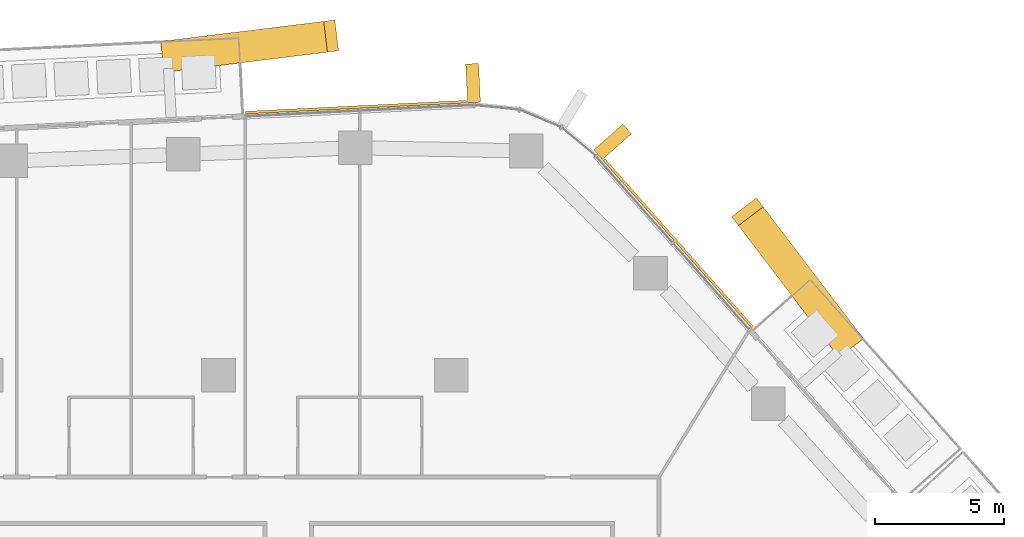
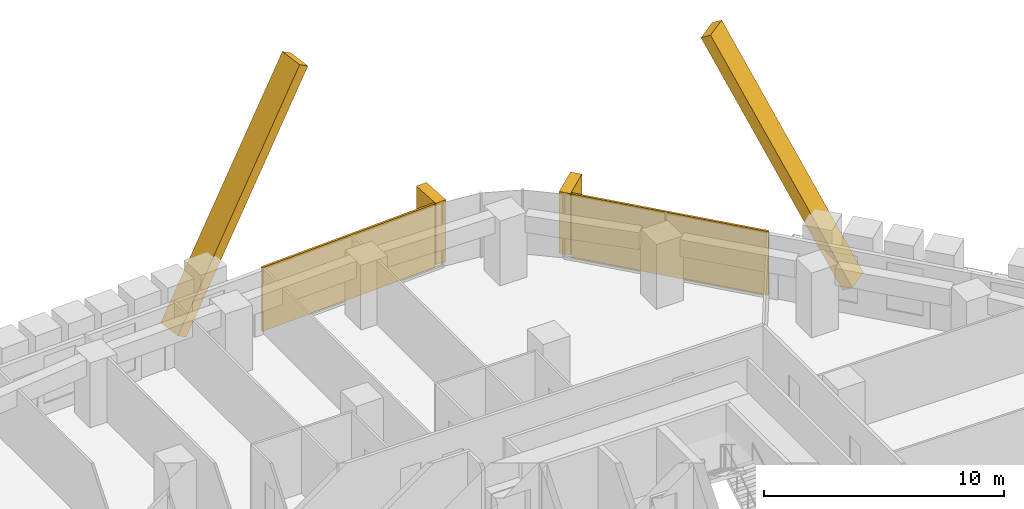
# One storey, part 25 of 25: 6 coverings, 2 elements without a shape of their own.
"""IFC4 building model written with IfcOpenShell, lengths in metres."""

from ifc_helpers import new_model, si_unit, direction, frame, origin, origin_2d, place, context, subcontext, project, spatial, rectangle, extrude, material, layer, layer_set, material_profile, profile_set, type_object, element, aggregate, save


model = new_model("IFC4")

# Units and contexts
model_context = context("Model", 3, precision=1e-05, world=origin(), true_north=direction((0.0, 1.0)))
body_context = subcontext(model_context, "Body", "Model", "MODEL_VIEW")
ifc_project = project(units=[si_unit("LENGTHUNIT", "METRE"), si_unit("AREAUNIT", "SQUARE_METRE"), si_unit("VOLUMEUNIT", "CUBIC_METRE"), si_unit("PLANEANGLEUNIT", "RADIAN"), si_unit("MASSUNIT", "GRAM", prefix="KILO")], contexts=[model_context])

# Site, building, storey
site_placement = place(None, origin())
site = spatial("IfcSite", under=ifc_project, at=site_placement, CompositionType="ELEMENT")
building_placement = place(site_placement, origin())
building = spatial("IfcBuilding", under=site, at=building_placement, Name="Dongbaek Canopy Tower", CompositionType="ELEMENT")
storey_placement = place(building_placement, frame((0.0, 0.0, 102.60009765625)))
storey = spatial("IfcBuildingStorey", under=building, at=storey_placement, Name="L21", CompositionType="ELEMENT", Elevation=102.60009765625)

# Curtain wall, covering
ifc_material_1 = material(Name="Aluminium 6063-T6 pale anodised", Category="aluminium")
ifc_layer_1 = layer(ifc_material_1, 0.199951171875)
ifc_layer_set_1 = layer_set([ifc_layer_1], Name="CW-1 unitised tower curtain wall")
curtain_wall_type = type_object("IfcCurtainWallType", Name="CW-1 unitised tower curtain wall", PredefinedType="NOTDEFINED", material=ifc_layer_set_1)
curtain_wall_1_placement = place(storey_placement, origin())
curtain_wall_1 = element("IfcCurtainWall", 1, at=curtain_wall_1_placement, inside=storey, type_object=curtain_wall_type, Name="CW-1 curtain wall F0.1", PredefinedType="NOTDEFINED")
ifc_material_2 = material(Name="Aluminium 6063-T6 pale metal fin", Category="aluminium")
ifc_material_profile_1 = material_profile(ifc_material_2, rectangle(XDim=1.199951171875, YDim=0.5, at=origin_2d()), Name="Crease fin CF1 500 x 1200 pale metal")
ifc_profile_set_1 = profile_set([ifc_material_profile_1], Name="Aluminium 6063-T6 pale metal fin")
covering_type_1 = type_object("IfcCoveringType", Name="Crease fin CF1 500 x 1200 pale metal", PredefinedType="CLADDING", material=ifc_profile_set_1)
covering_1_placement = place(storey_placement, frame((24.351806640625, 19.22119140625, -0.22509765625), z_axis=(-0.302295046004, 0.397203178017, 0.866514477972), x_axis=(-0.795756053377, -0.605617291293, 0.0)))
covering_1 = element("IfcCovering", 2, at=covering_1_placement, type_object=covering_type_1, Name="Crease fin L21 L24 F0", PredefinedType="CLADDING", context=body_context, shape_type="SweptSolid", body=[
    extrude(rectangle(XDim=1.199951171875, YDim=0.5, at=origin_2d()), origin(), (0.0, 0.0, 1.0), 12.8388671875),
])

curtain_wall_2_placement = place(storey_placement, origin())
curtain_wall_2 = element("IfcCurtainWall", 3, at=curtain_wall_2_placement, inside=storey, type_object=curtain_wall_type, Name="CW-1 curtain wall F1.1", PredefinedType="NOTDEFINED")
covering_2_placement = place(storey_placement, frame((-1.95361328125, 30.343994140625, -0.22509765625), z_axis=(0.492626257263, 0.060640009934, 0.868125659021), x_axis=(-0.122173233927, 0.992508791352, 0.0)))
covering_2 = element("IfcCovering", 4, at=covering_2_placement, type_object=covering_type_1, Name="Crease fin L21 L24 F1", PredefinedType="CLADDING", context=body_context, shape_type="SweptSolid", body=[
    extrude(rectangle(XDim=1.199951171875, YDim=0.5, at=origin_2d()), origin(), (0.0, 0.0, 1.0), 12.81494140625),
])

# Covering
ifc_material_3 = material(Name="Perforated aluminium 6063-T6 pale metal screen", Category="aluminium")
ifc_layer_2 = layer(ifc_material_3, 0.10009765625)
ifc_layer_set_2 = layer_set([ifc_layer_2], Name="Facet screen FS1 100 pale metal")
covering_type_2 = type_object("IfcCoveringType", Name="Facet screen FS1 100 pale metal", PredefinedType="CLADDING", material=ifc_layer_set_2)
covering_3_placement = place(storey_placement, frame((17.790283203125, 23.099609375, 0.0), z_axis=(0.0, 0.0, 1.0), x_axis=(-0.66285400008, 0.748748672505, 0.0)))
covering_3 = element("IfcCovering", 5, at=covering_3_placement, type_object=covering_type_2, Name="Facet screen L21 F0", PredefinedType="CLADDING", context=body_context, shape_type="SweptSolid", body=[
    extrude(rectangle(XDim=8.66650390625, YDim=0.10009765625, at=origin_2d()), origin(), (0.0, 0.0, 1.0), 3.25),
])

covering_4_placement = place(storey_placement, frame((5.316162109375, 28.37060546875, 0.0), z_axis=(0.0, 0.0, 1.0), x_axis=(-0.99877222271, -0.049538340132, 0.0)))
covering_4 = element("IfcCovering", 6, at=covering_4_placement, type_object=covering_type_2, Name="Facet screen L21 F1", PredefinedType="CLADDING", context=body_context, shape_type="SweptSolid", body=[
    extrude(rectangle(XDim=8.57275390625, YDim=0.10009765625, at=origin_2d()), origin(), (0.0, 0.0, 1.0), 3.25),
])

ifc_material_4 = material(Name="Aluminium 6063-T6 pale metal fin", Category="aluminium")
ifc_material_profile_2 = material_profile(ifc_material_4, rectangle(XDim=1.5, YDim=0.5, at=origin_2d()), Name="Fin FN1 500 x 1500 pale metal")
ifc_profile_set_2 = profile_set([ifc_material_profile_2], Name="Aluminium 6063-T6 pale metal fin")
covering_type_3 = type_object("IfcCoveringType", Name="Fin FN1 500 x 1500 pale metal", PredefinedType="CLADDING", material=ifc_profile_set_2)
covering_5_placement = place(storey_placement, frame((15.2529296875, 27.02783203125, 0.119873046875), z_axis=(0.0, 0.0, 1.0), x_axis=(0.748748761505, 0.662853899547, 0.0)))
covering_5 = element("IfcCovering", 7, at=covering_5_placement, type_object=covering_type_3, Name="Fin F0.1.3", PredefinedType="CLADDING", context=body_context, shape_type="SweptSolid", body=[
    extrude(rectangle(XDim=1.5, YDim=0.5, at=origin_2d()), origin(), (0.0, 0.0, 1.0), 3.130126953125),
])

aggregate(curtain_wall_1, [covering_5, covering_1, covering_3])

covering_6_placement = place(storey_placement, frame((9.85205078125, 29.300537109375, 0.119873046875), z_axis=(0.0, 0.0, 1.0), x_axis=(-0.049538109177, 0.998772234165, 0.0)))
covering_6 = element("IfcCovering", 8, at=covering_6_placement, type_object=covering_type_3, Name="Fin F1.1.1", PredefinedType="CLADDING", context=body_context, shape_type="SweptSolid", body=[
    extrude(rectangle(XDim=1.5, YDim=0.5, at=origin_2d()), origin(), (0.0, 0.0, 1.0), 3.130126953125),
])

aggregate(curtain_wall_2, [covering_6, covering_2, covering_4])

save(model, "model.ifc")
